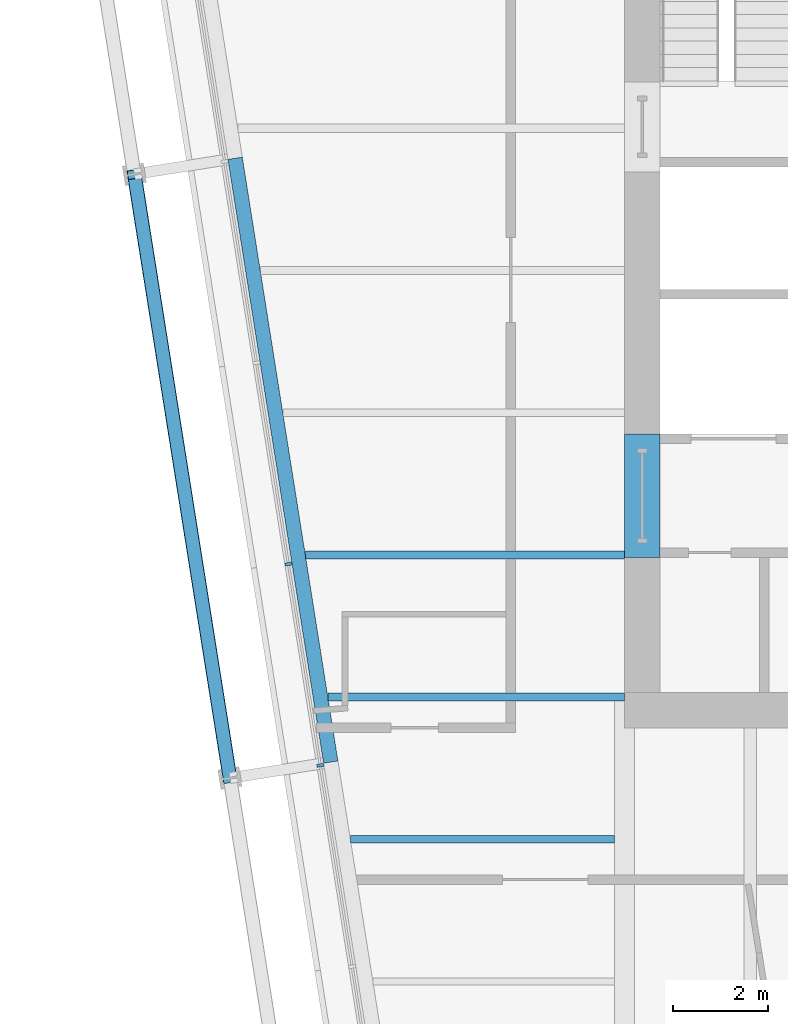
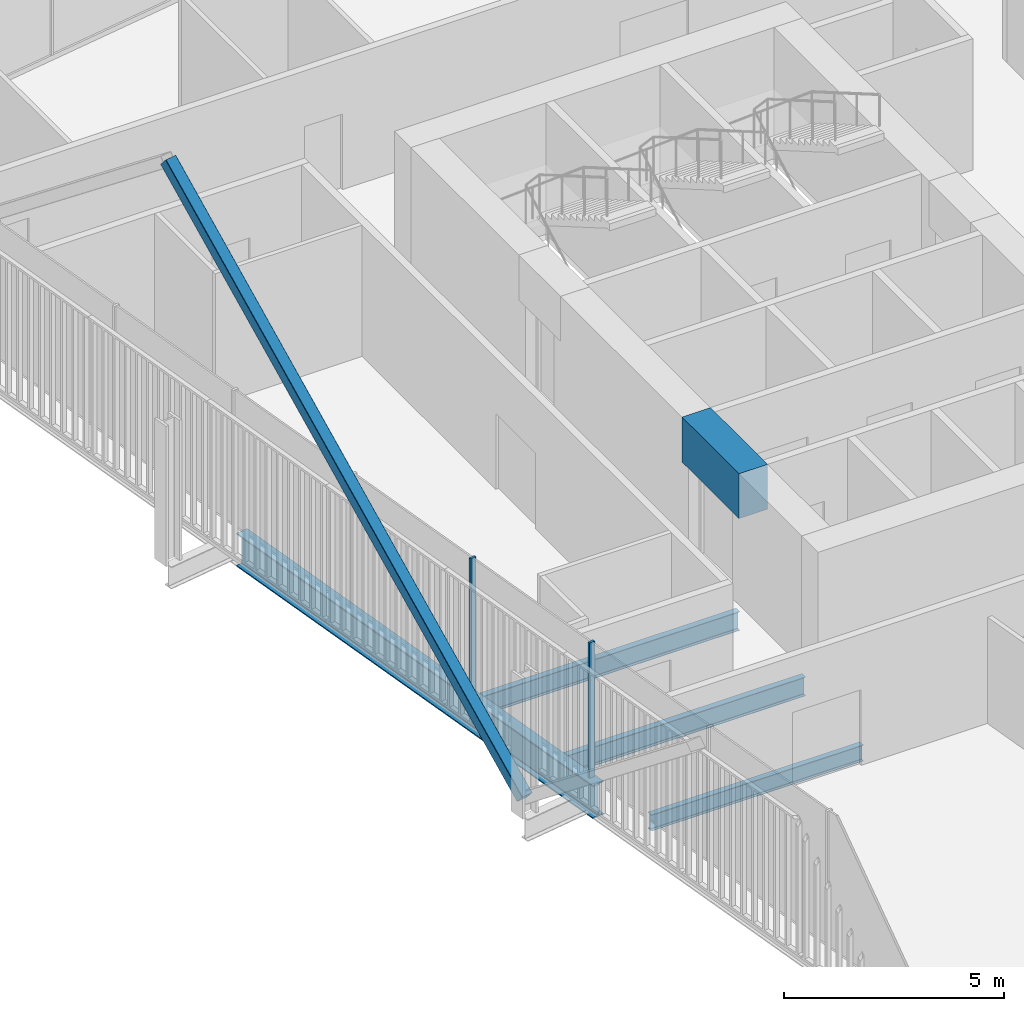
# One storey, part 4 of 22: 5 beams, 3 members, 1 element without a shape of its own.
"""IFC4 building model written with IfcOpenShell, lengths in metres."""

from ifc_helpers import new_model, si_unit, direction, frame, origin, origin_2d, place, context, subcontext, project, spatial, rectangle, hollow_rectangle, i_section, extrude, material, layer, layer_set, material_profile, profile_set, type_object, element, aggregate, save


model = new_model("IFC4")

# Units and contexts
model_context = context("Model", 3, precision=1e-05, world=origin(), true_north=direction((0.0, 1.0)))
body_context = subcontext(model_context, "Body", "Model", "MODEL_VIEW")
ifc_project = project(units=[si_unit("LENGTHUNIT", "METRE"), si_unit("AREAUNIT", "SQUARE_METRE"), si_unit("VOLUMEUNIT", "CUBIC_METRE"), si_unit("PLANEANGLEUNIT", "RADIAN"), si_unit("MASSUNIT", "GRAM", prefix="KILO")], contexts=[model_context])

# Site, building, storey
site_placement = place(None, origin())
site = spatial("IfcSite", under=ifc_project, at=site_placement, CompositionType="ELEMENT")
building_placement = place(site_placement, origin())
building = spatial("IfcBuilding", under=site, at=building_placement, Name="Millrace Tower", CompositionType="ELEMENT")
storey_placement = place(building_placement, frame((0.0, 0.0, 168.5)))
storey = spatial("IfcBuildingStorey", under=building, at=storey_placement, Name="L38", CompositionType="ELEMENT", Elevation=168.5)

# Curtain wall, members
ifc_material_1 = material(Name="Aluminium and glass", Category="aluminium")
ifc_layer = layer(ifc_material_1, 0.14990234375)
ifc_layer_set = layer_set([ifc_layer], Name="Aluminium and glass")
curtain_wall_type = type_object("IfcCurtainWallType", Name="CW-1 office vision curtain wall", PredefinedType="NOTDEFINED", material=ifc_layer_set)
curtain_wall_placement = place(storey_placement, origin())
curtain_wall = element("IfcCurtainWall", 1, at=curtain_wall_placement, inside=storey, type_object=curtain_wall_type, Name="Curtain wall C-F08 L38", PredefinedType="NOTDEFINED")
ifc_material_2 = material(Name="Aluminium", Category="aluminium")
ifc_material_profile_1 = material_profile(ifc_material_2, rectangle(XDim=0.06494140625, YDim=0.14990234375, at=origin_2d()))
ifc_profile_set_1 = profile_set([ifc_material_profile_1], Name="Aluminium")
member_type_1 = type_object("IfcMemberType", Name="CW-1 office vision curtain wall mullion", PredefinedType="MULLION", material=ifc_profile_set_1)
member_1_placement = place(storey_placement, frame((-21.743408203125, -6.193603515625, 0.139892578125), z_axis=(0.0, 0.0, 1.0), x_axis=(0.15643447328, -0.98768833929, 0.0)))
member_1 = element("IfcMember", 2, at=member_1_placement, type_object=member_type_1, Name="CW1 mullion C-F08.6", PredefinedType="MULLION", context=body_context, shape_type="SweptSolid", body=[
    extrude(rectangle(XDim=0.06494140625, YDim=0.14990234375, at=origin_2d()), origin(), (0.0, 0.0, 1.0), 3.760009765625),
])
member_2_placement = place(storey_placement, frame((-21.070556640625, -10.440673828125, 0.139892578125), z_axis=(0.0, 0.0, 1.0), x_axis=(0.15643447328, -0.98768833929, 0.0)))
member_2 = element("IfcMember", 3, at=member_2_placement, type_object=member_type_1, Name="CW1 mullion C-F08.7", PredefinedType="MULLION", context=body_context, shape_type="SweptSolid", body=[
    extrude(rectangle(XDim=0.06494140625, YDim=0.14990234375, at=origin_2d()), origin(), (0.0, 0.0, 1.0), 3.760009765625),
])
aggregate(curtain_wall, [member_1, member_2])

# Beam
ifc_material_3 = material(Name="Concrete C70", Category="concrete")
ifc_material_profile_2 = material_profile(ifc_material_3, rectangle(XDim=0.75, YDim=1.25, at=origin_2d()))
ifc_profile_set_2 = profile_set([ifc_material_profile_2], Name="Concrete C70")
beam_type_1 = type_object("IfcBeamType", Name="Coupling beam 750 x 1250 Concrete C70, 2000 opening", PredefinedType="BEAM", material=ifc_profile_set_2)
beam_1_placement = place(storey_placement, frame((-14.27490234375, -6.050048828125, 3.02490234375), z_axis=(0.0, 1.0, 0.0), x_axis=(-1.0, 0.0, 0.0)))
element("IfcBeam", 4, at=beam_1_placement, inside=storey, type_object=beam_type_1, Name="Coupling beam W L38", PredefinedType="BEAM", context=body_context, shape_type="SweptSolid", body=[
    extrude(rectangle(XDim=0.75, YDim=1.25, at=origin_2d()), origin(), (0.0, 0.0, 1.0), 2.60009765625),
])

# Member
ifc_material_4 = material(Name="Steel ASTM A500 Grade C", Category="steel")
ifc_material_profile_3 = material_profile(ifc_material_4, hollow_rectangle(XDim=0.3046875, YDim=0.3046875, WallThickness=0.0126953125, InnerFilletRadius=0.00634765625, OuterFilletRadius=0.01904296875, at=origin_2d()))
ifc_profile_set_3 = profile_set([ifc_material_profile_3], Name="Steel ASTM A500 Grade C")
member_type_2 = type_object("IfcMemberType", Name="Exoskeleton brace HSS12x12x1/2", PredefinedType="BRACE", material=ifc_profile_set_3)
member_3_placement = place(storey_placement, frame((-22.97705078125, -10.709716796875, 0.39990234375), z_axis=(-0.120408055254, 0.760205127947, 0.638427806156), x_axis=(-0.987687659758, -0.156438763615, 0.0)))
element("IfcMember", 5, at=member_3_placement, inside=storey, type_object=member_type_2, Name="BRC-C-L38-15", PredefinedType="BRACE", context=body_context, shape_type="SweptSolid", body=[
    extrude(hollow_rectangle(XDim=0.3046875, YDim=0.3046875, WallThickness=0.0126953125, InnerFilletRadius=0.00634765625, OuterFilletRadius=0.01904296875, at=origin_2d()), origin(), (0.0, 0.0, 1.0), 16.76025390625),
])

# Beams
ifc_material_5 = material(Name="Steel ASTM A992 Grade 50", Category="steel")
ifc_material_profile_4 = material_profile(ifc_material_5, i_section(OverallWidth=0.15234375, OverallDepth=0.449462890625, WebThickness=0.007568359375, FlangeThickness=0.0107421875, FilletRadius=0.01025390625, at=origin_2d()))
ifc_profile_set_4 = profile_set([ifc_material_profile_4], Name="Steel ASTM A992 Grade 50")
beam_type_2 = type_object("IfcBeamType", Name="Floor beam W18x35", PredefinedType="JOIST", material=ifc_profile_set_4)
beam_2_placement = place(storey_placement, frame((-20.4365234375, -12.0, -0.384765625), z_axis=(1.0, 0.0, 0.0), x_axis=(0.0, 1.0, 0.0)))
element("IfcBeam", 6, at=beam_2_placement, inside=storey, type_object=beam_type_2, Name="BM-C-L38-S1-S008", PredefinedType="JOIST", context=body_context, shape_type="SweptSolid", body=[
    extrude(i_section(OverallWidth=0.15234375, OverallDepth=0.449462890625, WebThickness=0.007568359375, FlangeThickness=0.0107421875, FilletRadius=0.01025390625, at=origin_2d()), origin(), (0.0, 0.0, 1.0), 5.576904296875),
])
ifc_material_6 = material(Name="Steel ASTM A992 Grade 50", Category="steel")
ifc_material_profile_5 = material_profile(ifc_material_6, i_section(OverallWidth=0.1650390625, OverallDepth=0.52587890625, WebThickness=0.0087890625, FlangeThickness=0.011474609375, FilletRadius=0.0126953125, at=origin_2d()))
ifc_profile_set_5 = profile_set([ifc_material_profile_5], Name="Steel ASTM A992 Grade 50")
beam_type_3 = type_object("IfcBeamType", Name="Floor beam W21x44", PredefinedType="JOIST", material=ifc_profile_set_5)
beam_3_placement = place(storey_placement, frame((-20.91162109375, -9.0, -0.4228515625), z_axis=(1.0, 0.0, 0.0), x_axis=(0.0, 1.0, 0.0)))
element("IfcBeam", 7, at=beam_3_placement, inside=storey, type_object=beam_type_3, Name="BM-C-L38-S1-S011", PredefinedType="JOIST", context=body_context, shape_type="SweptSolid", body=[
    extrude(i_section(OverallWidth=0.1650390625, OverallDepth=0.52587890625, WebThickness=0.0087890625, FlangeThickness=0.011474609375, FilletRadius=0.0126953125, at=origin_2d()), origin(), (0.0, 0.0, 1.0), 6.26171875),
])
beam_4_placement = place(storey_placement, frame((-21.386962890625, -6.0, -0.4228515625), z_axis=(1.0, 0.0, 0.0), x_axis=(0.0, 1.0, 0.0)))
element("IfcBeam", 8, at=beam_4_placement, inside=storey, type_object=beam_type_3, Name="BM-C-L38-S1-S014", PredefinedType="JOIST", context=body_context, shape_type="SweptSolid", body=[
    extrude(i_section(OverallWidth=0.1650390625, OverallDepth=0.52587890625, WebThickness=0.0087890625, FlangeThickness=0.011474609375, FilletRadius=0.0126953125, at=origin_2d()), origin(), (0.0, 0.0, 1.0), 6.737060546875),
])
ifc_material_7 = material(Name="Steel ASTM A992 Grade 50", Category="steel")
ifc_material_profile_6 = material_profile(ifc_material_7, i_section(OverallWidth=0.307373046875, OverallDepth=0.927001953125, WebThickness=0.01953125, FlangeThickness=0.031982421875, FilletRadius=0.01904296875, at=origin_2d()))
ifc_profile_set_6 = profile_set([ifc_material_profile_6], Name="Steel ASTM A992 Grade 50")
beam_type_4 = type_object("IfcBeamType", Name="Ring beam medium span W36x194", PredefinedType="SPANDREL", material=ifc_profile_set_6)
beam_5_placement = place(storey_placement, frame((-20.849853515625, -10.372802734375, -0.62353515625), z_axis=(-0.156438763615, 0.987687659758, 0.0), x_axis=(-0.987687659758, -0.156438763615, 0.0)))
element("IfcBeam", 9, at=beam_5_placement, inside=storey, type_object=beam_type_4, Name="RNG-C-L38-S1-02", PredefinedType="SPANDREL", context=body_context, shape_type="SweptSolid", body=[
    extrude(i_section(OverallWidth=0.307373046875, OverallDepth=0.927001953125, WebThickness=0.01953125, FlangeThickness=0.031982421875, FilletRadius=0.01904296875, at=origin_2d()), origin(), (0.0, 0.0, 1.0), 12.900146484375),
])

save(model, "model.ifc")
